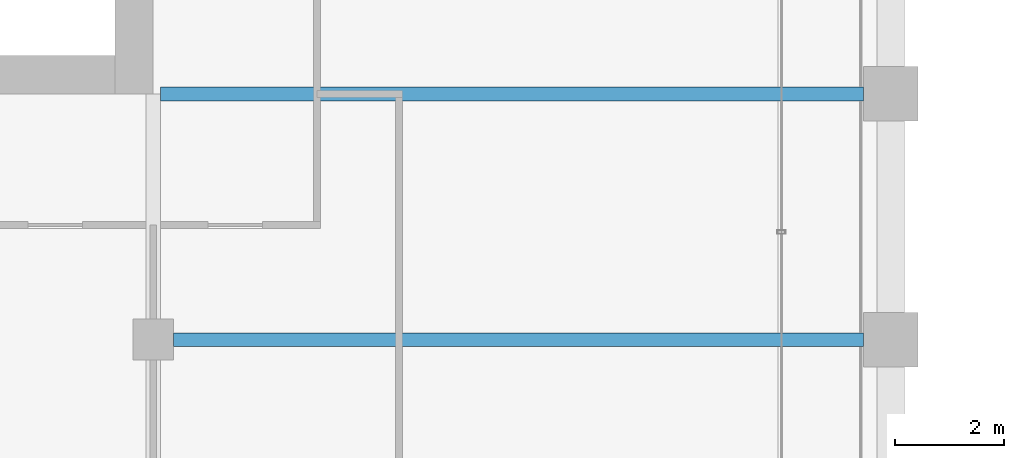
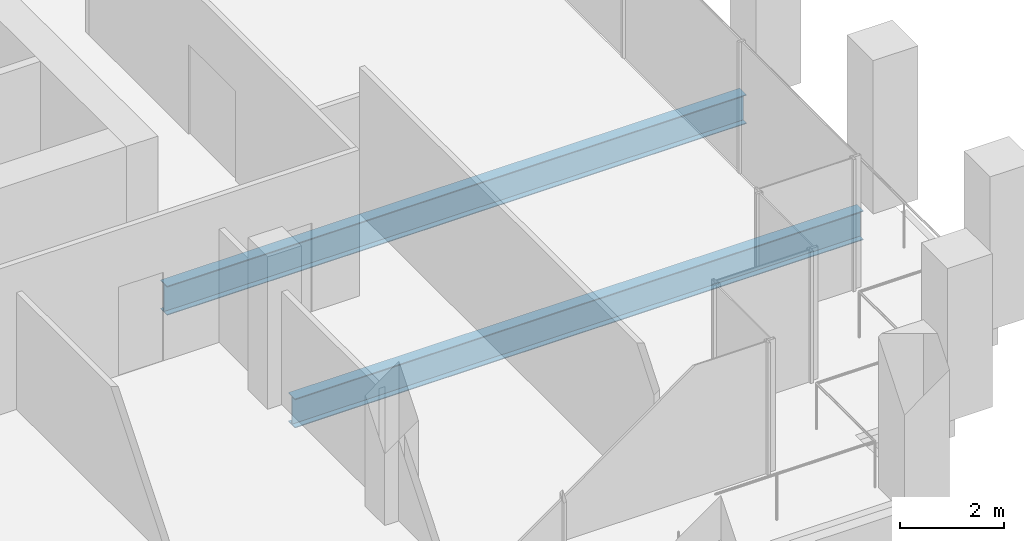
# One storey, part 14 of 46: 2 beams.
"""IFC4 building model written with IfcOpenShell, lengths in metres."""

from ifc_helpers import new_model, si_unit, direction, frame, origin, origin_2d, place, context, subcontext, project, spatial, i_section, extrude, material, material_profile, profile_set, type_object, element, save


model = new_model("IFC4")

# Units and contexts
model_context = context("Model", 3, precision=1e-05, world=origin(), true_north=direction((0.0, 1.0)))
body_context = subcontext(model_context, "Body", "Model", "MODEL_VIEW")
ifc_project = project(units=[si_unit("LENGTHUNIT", "METRE"), si_unit("AREAUNIT", "SQUARE_METRE"), si_unit("VOLUMEUNIT", "CUBIC_METRE"), si_unit("PLANEANGLEUNIT", "RADIAN"), si_unit("MASSUNIT", "GRAM", prefix="KILO")], contexts=[model_context])

# Site, building, storey
site_placement = place(None, origin())
site = spatial("IfcSite", under=ifc_project, at=site_placement, CompositionType="ELEMENT")
building_placement = place(site_placement, origin())
building = spatial("IfcBuilding", under=site, at=building_placement, Name="Altepetl Exchange Towers", CompositionType="ELEMENT")
storey_placement = place(building_placement, frame((0.0, 0.0, 120.800048828125)))
storey = spatial("IfcBuildingStorey", under=building, at=storey_placement, Name="L29", CompositionType="ELEMENT", Elevation=120.800048828125)

# Beams
ifc_material = material(Name="Steel S355", Category="steel")
ifc_material_profile = material_profile(ifc_material, i_section(OverallWidth=0.25390625, OverallDepth=0.68408203125, WebThickness=0.012451171875, FlangeThickness=0.018798828125, at=origin_2d()), Name="W27X94")
ifc_profile_set = profile_set([ifc_material_profile], Name="Steel S355")
beam_type = type_object("IfcBeamType", Name="Floor beam W27X94", PredefinedType="BEAM", material=ifc_profile_set)
beam_1_placement = place(storey_placement, frame((58.875, 36.0, -0.491943359375), z_axis=(1.0, 0.0, 0.0), x_axis=(0.0, 1.0, 0.0)))
element("IfcBeam", 1, at=beam_1_placement, inside=storey, type_object=beam_type, Name="bm:A:L29:007", PredefinedType="BEAM", context=body_context, shape_type="SweptSolid", body=[
    extrude(i_section(OverallWidth=0.25390625, OverallDepth=0.68408203125, WebThickness=0.012451171875, FlangeThickness=0.018798828125, at=origin_2d()), origin(), (0.0, 0.0, 1.0), 12.625),
])
beam_2_placement = place(storey_placement, frame((58.634033203125, 40.5, -0.491943359375), z_axis=(1.0, 0.0, 0.0), x_axis=(0.0, 1.0, 0.0)))
element("IfcBeam", 2, at=beam_2_placement, inside=storey, type_object=beam_type, Name="bm:A:L29:008", PredefinedType="BEAM", context=body_context, shape_type="SweptSolid", body=[
    extrude(i_section(OverallWidth=0.25390625, OverallDepth=0.68408203125, WebThickness=0.012451171875, FlangeThickness=0.018798828125, at=origin_2d()), origin(), (0.0, 0.0, 1.0), 12.865966796875),
])

save(model, "model.ifc")
